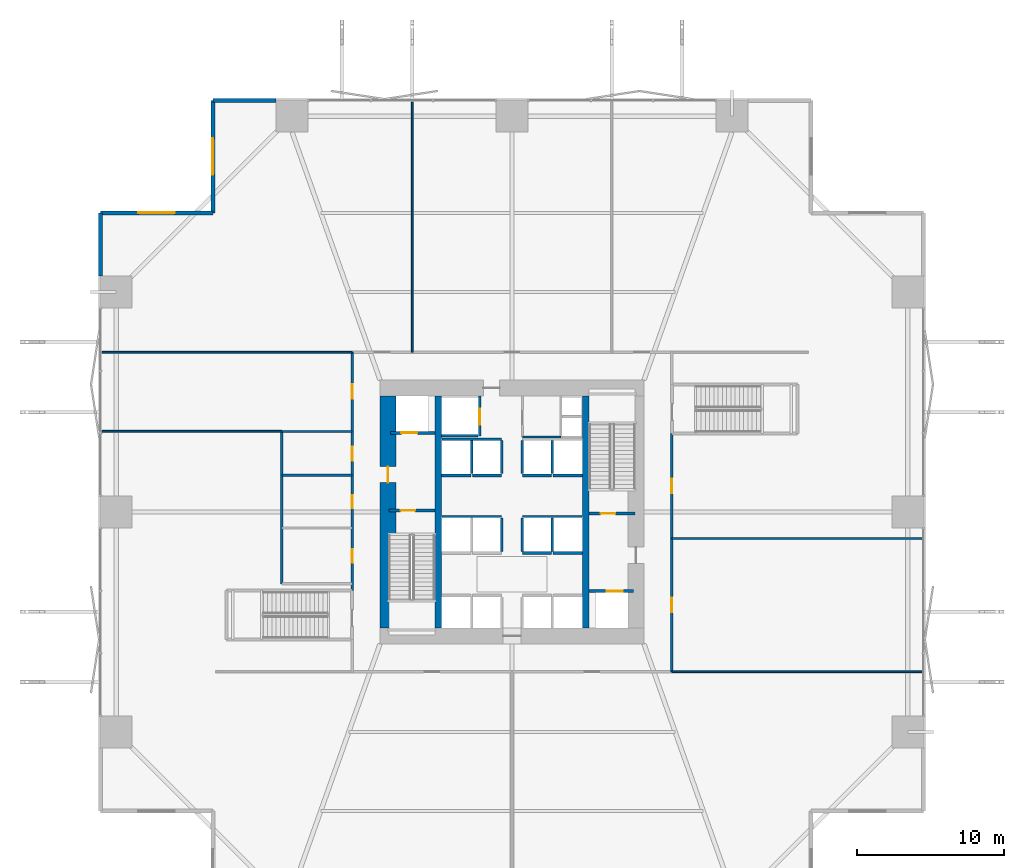
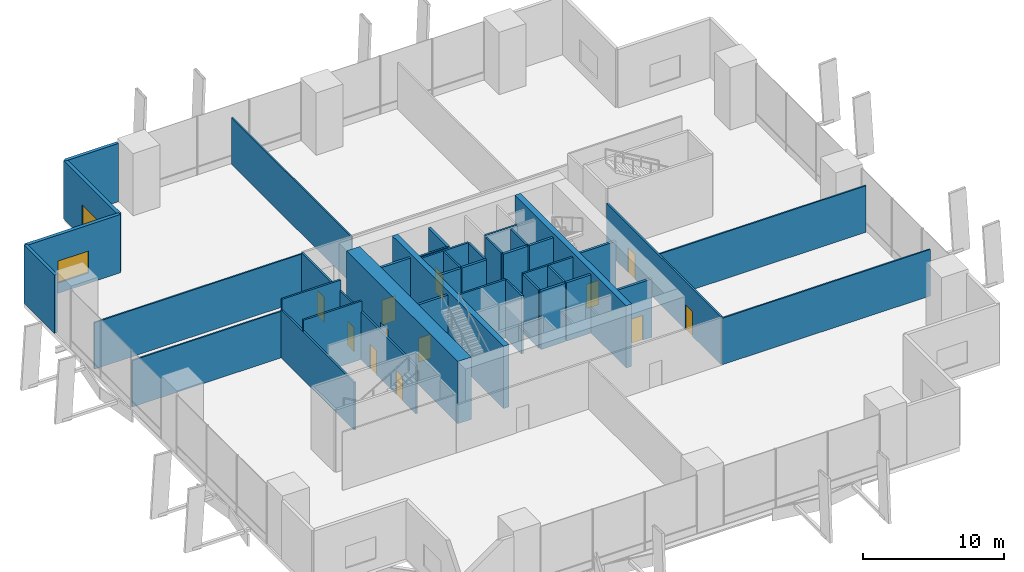
# One storey, part 20 of 24: 40 walls, 12 doors, 2 windows, 14 openings.
"""IFC4 building model written with IfcOpenShell, lengths in metres."""

from ifc_helpers import new_model, si_unit, direction, frame, frame_2d, origin, place, context, subcontext, project, spatial, rectangle, extrude, material, layer, layer_set, type_object, element, fill, save


model = new_model("IFC4")

# Units and contexts
model_context = context("Model", 3, precision=1e-05, world=origin(), true_north=direction((0.0, 1.0)))
body_context = subcontext(model_context, "Body", "Model", "MODEL_VIEW")
ifc_project = project(units=[si_unit("LENGTHUNIT", "METRE"), si_unit("AREAUNIT", "SQUARE_METRE"), si_unit("VOLUMEUNIT", "CUBIC_METRE"), si_unit("PLANEANGLEUNIT", "RADIAN"), si_unit("MASSUNIT", "GRAM", prefix="KILO")], contexts=[model_context])

# Site, building, storey
site_placement = place(None, origin())
site = spatial("IfcSite", under=ifc_project, at=site_placement, CompositionType="ELEMENT")
building_placement = place(site_placement, origin())
building = spatial("IfcBuilding", under=site, at=building_placement, Name="Belovzor Exchange Tower", CompositionType="ELEMENT")
storey_placement = place(building_placement, frame((0.0, 0.0, 8.39990234375)))
storey = spatial("IfcBuildingStorey", under=building, at=storey_placement, Name="L02", CompositionType="ELEMENT", Elevation=8.39990234375)

# Walls
ifc_material_1 = material(Name="Acoustic Plasterboard on Galvanised Studs", Category="gypsum")
ifc_layer_1 = layer(ifc_material_1, 0.1201171875)
ifc_layer_set_1 = layer_set([ifc_layer_1], Name="Acoustic Plasterboard on Galvanised Studs")
wall_type_1 = type_object("IfcWallType", Name="Acoustic Double-Stud Partition Wall 120", PredefinedType="PARTITIONING", material=ifc_layer_set_1)
for number, where, z_axis, x_axis, name in (
    (1, (22.0, 39.699951171875, 0.0), (0.0, 0.0, 1.0), (0.0, 1.0, 0.0), "W-P120 Partition Wall W-L02-ND1"),
    (2, (39.699951171875, 27.0, 0.0), (0.0, 0.0, 1.0), (1.0, 0.0, 0.0), "W-P120 Partition Wall W-L02-ED1"),
):
    element("IfcWall", number, at=place(storey_placement, frame(where, z_axis=z_axis, x_axis=x_axis)), inside=storey, type_object=wall_type_1, Name=name, PredefinedType="PARTITIONING", context=body_context, shape_type="SweptSolid", body=[
        extrude(rectangle(XDim=17.050048828125, YDim=0.1201171875, at=frame_2d((8.52490234375, 0.0))), origin(), (0.0, 0.0, 1.0), 4.03515625),
    ])
wall_1_placement = place(storey_placement, frame((0.85009765625, 34.300048828125, 0.0), z_axis=(0.0, 0.0, 1.0), x_axis=(1.0, 0.0, 0.0)))
element("IfcWall", 3, at=wall_1_placement, inside=storey, type_object=wall_type_1, Name="W-P120 Partition Wall W-L02-W1S", PredefinedType="PARTITIONING", context=body_context, shape_type="SweptSolid", body=[
    extrude(rectangle(XDim=12.25, YDim=0.1201171875, at=frame_2d((6.125, 0.0))), origin(), (0.0, 0.0, 1.0), 4.03515625),
])
wall_2_placement = place(storey_placement, frame((39.699951171875, 17.89990234375, 0.0), z_axis=(0.0, 0.0, 1.0), x_axis=(1.0, 0.0, 0.0)))
element("IfcWall", 4, at=wall_2_placement, inside=storey, type_object=wall_type_1, Name="W-P120 Partition Wall W-L02-OUT-SE", PredefinedType="PARTITIONING", context=body_context, shape_type="SweptSolid", body=[
    extrude(rectangle(XDim=17.050048828125, YDim=0.1201171875, at=frame_2d((8.52490234375, 0.0))), origin(), (0.0, 0.0, 1.0), 4.03515625),
])
wall_3_placement = place(storey_placement, frame((0.85009765625, 39.699951171875, 0.0), z_axis=(0.0, 0.0, 1.0), x_axis=(1.0, 0.0, 0.0)))
element("IfcWall", 5, at=wall_3_placement, inside=storey, type_object=wall_type_1, Name="W-P120 Partition Wall W-L02-OUT-NW", PredefinedType="PARTITIONING", context=body_context, shape_type="SweptSolid", body=[
    extrude(rectangle(XDim=17.0498046875, YDim=0.1201171875, at=frame_2d((8.52490234375, 0.0))), origin(), (0.0, 0.0, 1.0), 4.03515625),
])
ifc_material_2 = material(Name="Fire-Rated Gypsum Block and Mineral Wool", Category="gypsum")
ifc_layer_2 = layer(ifc_material_2, 0.14990234375)
ifc_layer_set_2 = layer_set([ifc_layer_2], Name="Fire-Rated Gypsum Block and Mineral Wool")
wall_type_2 = type_object("IfcWallType", Name="Fire-Rated Gypsum Block Corridor Wall 150", PredefinedType="PARTITIONING", material=ifc_layer_set_2)
wall_4_placement = place(storey_placement, frame((29.52490234375, 33.925048828125, 0.0), z_axis=(0.0, 0.0, 1.0), x_axis=(1.0, 0.0, 0.0)))
element("IfcWall", 6, at=wall_4_placement, inside=storey, type_object=wall_type_2, Name="W-P150 Partition Wall W-CRV-L02-S", PredefinedType="PARTITIONING", context=body_context, shape_type="SweptSolid", body=[
    extrude(rectangle(XDim=2.625, YDim=0.14990234375, at=frame_2d((1.3125, 0.0))), origin(), (0.0, 0.0, 1.0), 5.050048828125),
])
wall_5_placement = place(storey_placement, frame((13.10009765625, 23.89990234375, 0.0), z_axis=(0.0, 0.0, 1.0), x_axis=(0.0, 1.0, 0.0)))
element("IfcWall", 7, at=wall_5_placement, inside=storey, type_object=wall_type_2, Name="W-P150 Partition Wall W-L02-WC-W", PredefinedType="PARTITIONING", context=body_context, shape_type="SweptSolid", body=[
    extrude(rectangle(XDim=10.400146484375, YDim=0.14990234375, at=frame_2d((5.2001953125, 0.0))), origin(), (0.0, 0.0, 1.0), 4.135009765625),
])
for number, where, z_axis, x_axis, name in (
    (8, (13.10009765625, 34.300048828125, 0.0), (0.0, 0.0, 1.0), (1.0, 0.0, 0.0), "W-P150 Partition Wall W-L02-WC-N"),
    (9, (13.10009765625, 31.300048828125, 0.0), (0.0, 0.0, 1.0), (1.0, 0.0, 0.0), "W-P150 Partition Wall W-L02-WC-D2"),
):
    element("IfcWall", number, at=place(storey_placement, frame(where, z_axis=z_axis, x_axis=x_axis)), inside=storey, type_object=wall_type_2, Name=name, PredefinedType="PARTITIONING", context=body_context, shape_type="SweptSolid", body=[
        extrude(rectangle(XDim=4.7998046875, YDim=0.14990234375, at=frame_2d((2.39990234375, 0.0))), origin(), (0.0, 0.0, 1.0), 5.050048828125),
    ])

# Wall, openings, doors
wall_6_placement = place(storey_placement, frame((17.89990234375, 23.449951171875, 0.0), z_axis=(0.0, 0.0, 1.0), x_axis=(0.0, 1.0, 0.0)))
wall_6 = element("IfcWall", 10, at=wall_6_placement, inside=storey, type_object=wall_type_2, Name="W-P150 Partition Wall W-L02-CWN", PredefinedType="PARTITIONING", context=body_context, shape_type="SweptSolid", body=[
    extrude(rectangle(XDim=16.25, YDim=0.14990234375, at=frame_2d((8.125, 0.0))), origin(), (0.0, 0.0, 1.0), 4.135009765625),
])
opening_1_placement = place(wall_6_placement, frame((1.89990234375, 0.0, 0.0)))
opening_1 = element("IfcOpeningElement", 11, at=opening_1_placement, cuts=wall_6, Name="Opening D-FD60-090", PredefinedType="OPENING", context=body_context, shape_type="SweptSolid", body=[
    extrude(rectangle(XDim=0.89990234375, YDim=2.10009765625, at=frame_2d((0.449951171875, 1.050048828125))), frame((0.0, 0.0849609375, 0.0), z_axis=(0.0, -1.0, 0.0), x_axis=(1.0, 0.0, 0.0)), (0.0, 0.0, 1.0), 0.169921875),
])
opening_2_placement = place(wall_6_placement, frame((5.60009765625, 0.0, 0.0)))
opening_2 = element("IfcOpeningElement", 12, at=opening_2_placement, cuts=wall_6, Name="Opening D-FD60-090", PredefinedType="OPENING", context=body_context, shape_type="SweptSolid", body=[
    extrude(rectangle(XDim=0.89990234375, YDim=2.10009765625, at=frame_2d((0.449951171875, 1.050048828125))), frame((0.0, 0.0849609375, 0.0), z_axis=(0.0, -1.0, 0.0), x_axis=(1.0, 0.0, 0.0)), (0.0, 0.0, 1.0), 0.169921875),
])
opening_3_placement = place(wall_6_placement, frame((8.85009765625, 0.0, 0.0)))
opening_3 = element("IfcOpeningElement", 13, at=opening_3_placement, cuts=wall_6, Name="Opening D-FD60-095", PredefinedType="OPENING", context=body_context, shape_type="SweptSolid", body=[
    extrude(rectangle(XDim=0.949951171875, YDim=2.10009765625, at=frame_2d((0.47509765625, 1.050048828125))), frame((0.0, 0.0849609375, 0.0), z_axis=(0.0, -1.0, 0.0), x_axis=(1.0, 0.0, 0.0)), (0.0, 0.0, 1.0), 0.169921875),
])
opening_4_placement = place(wall_6_placement, frame((13.074951171875, 0.0, 0.0)))
opening_4 = element("IfcOpeningElement", 14, at=opening_4_placement, cuts=wall_6, Name="Opening D-FD60-105", PredefinedType="OPENING", context=body_context, shape_type="SweptSolid", body=[
    extrude(rectangle(XDim=1.0, YDim=2.14990234375, at=frame_2d((0.5, 1.074951171875))), frame((0.0, 0.0849609375, 0.0), z_axis=(0.0, -1.0, 0.0), x_axis=(1.0, 0.0, 0.0)), (0.0, 0.0, 1.0), 0.169921875),
])
ifc_material_3 = material(Name="Moisture-Resistant Timber Fire Leaf", Category="wood")
door_type_1 = type_object("IfcDoorType", Name="Accessible Restroom Wide Fire Door 950x2100", OperationType="NOTDEFINED", PredefinedType="DOOR", material=ifc_material_3)
door_1_placement = place(opening_3_placement, origin())
door_1 = element("IfcDoor", 15, at=door_1_placement, inside=storey, type_object=door_type_1, Name="D-FD60-095 Accessible Restroom Wide Fire Door 950x2100", OperationType="SINGLE_SWING_LEFT", OverallHeight=2.10009765625, OverallWidth=0.949951171875, PredefinedType="DOOR", context=body_context, shape_type="SweptSolid", body=[
    extrude(rectangle(XDim=0.949951171875, YDim=2.10009765625, at=frame_2d((0.47509765625, 1.050048828125))), frame((0.0, 0.02490234375, 0.0), z_axis=(0.0, -1.0, 0.0), x_axis=(1.0, 0.0, 0.0)), (0.0, 0.0, 1.0), 0.050048828125),
])
fill(opening_3, door_1)
ifc_material_4 = material(Name="Acoustic Timber Fire Leaf", Category="wood")
door_type_2 = type_object("IfcDoorType", Name="Core Service & Restroom Fire Door 900x2100", OperationType="NOTDEFINED", PredefinedType="DOOR", material=ifc_material_4)
door_2_placement = place(opening_1_placement, origin())
door_2 = element("IfcDoor", 16, at=door_2_placement, inside=storey, type_object=door_type_2, Name="D-FD60-090 Core Service & Restroom Fire Door 900x2100", OperationType="SINGLE_SWING_LEFT", OverallHeight=2.10009765625, OverallWidth=0.89990234375, PredefinedType="DOOR", context=body_context, shape_type="SweptSolid", body=[
    extrude(rectangle(XDim=0.89990234375, YDim=2.10009765625, at=frame_2d((0.449951171875, 1.050048828125))), frame((0.0, 0.02490234375, 0.0), z_axis=(0.0, -1.0, 0.0), x_axis=(1.0, 0.0, 0.0)), (0.0, 0.0, 1.0), 0.050048828125),
])
fill(opening_1, door_2)
door_3_placement = place(opening_2_placement, origin())
door_3 = element("IfcDoor", 17, at=door_3_placement, inside=storey, type_object=door_type_2, Name="D-FD60-090 Core Service & Restroom Fire Door 900x2100", OperationType="SINGLE_SWING_RIGHT", OverallHeight=2.10009765625, OverallWidth=0.89990234375, PredefinedType="DOOR", context=body_context, shape_type="SweptSolid", body=[
    extrude(rectangle(XDim=0.89990234375, YDim=2.10009765625, at=frame_2d((0.449951171875, 1.050048828125))), frame((0.0, 0.02490234375, 0.0), z_axis=(0.0, -1.0, 0.0), x_axis=(1.0, 0.0, 0.0)), (0.0, 0.0, 1.0), 0.050048828125),
])
fill(opening_2, door_3)
ifc_material_5 = material(Name="Acoustic Timber Fire Leaf", Category="wood")
door_type_3 = type_object("IfcDoorType", Name="Podium Gallery Acoustic Fire Door 1000x2150", OperationType="NOTDEFINED", PredefinedType="DOOR", material=ifc_material_5)
door_4_placement = place(opening_4_placement, origin())
door_4 = element("IfcDoor", 18, at=door_4_placement, inside=storey, type_object=door_type_3, Name="D-FD60-105 Podium Gallery Acoustic Fire Door 1000x2150", OperationType="SINGLE_SWING_RIGHT", OverallHeight=2.14990234375, OverallWidth=1.0, PredefinedType="DOOR", context=body_context, shape_type="SweptSolid", body=[
    extrude(rectangle(XDim=1.0, YDim=2.14990234375, at=frame_2d((0.5, 1.074951171875))), frame((0.0, 0.02490234375, 0.0), z_axis=(0.0, -1.0, 0.0), x_axis=(1.0, 0.0, 0.0)), (0.0, 0.0, 1.0), 0.050048828125),
])
fill(opening_4, door_4)

wall_7_placement = place(storey_placement, frame((39.699951171875, 17.89990234375, 0.0), z_axis=(0.0, 0.0, 1.0), x_axis=(0.0, 1.0, 0.0)))
wall_7 = element("IfcWall", 19, at=wall_7_placement, inside=storey, type_object=wall_type_2, Name="W-P150 Partition Wall W-L02-CES", PredefinedType="PARTITIONING", context=body_context, shape_type="SweptSolid", body=[
    extrude(rectangle(XDim=16.25, YDim=0.14990234375, at=frame_2d((8.125, 0.0))), origin(), (0.0, 0.0, 1.0), 4.135009765625),
])
opening_5_placement = place(wall_7_placement, frame((4.050048828125, 0.0, 0.0)))
opening_5 = element("IfcOpeningElement", 20, at=opening_5_placement, cuts=wall_7, Name="Opening D-FD60-105", PredefinedType="OPENING", context=body_context, shape_type="SweptSolid", body=[
    extrude(rectangle(XDim=1.0, YDim=2.14990234375, at=frame_2d((0.5, 1.074951171875))), frame((0.0, 0.0849609375, 0.0), z_axis=(0.0, -1.0, 0.0), x_axis=(1.0, 0.0, 0.0)), (0.0, 0.0, 1.0), 0.169921875),
])
opening_6_placement = place(wall_7_placement, frame((12.175048828125, 0.0, 0.0)))
opening_6 = element("IfcOpeningElement", 21, at=opening_6_placement, cuts=wall_7, Name="Opening D-FD60-105", PredefinedType="OPENING", context=body_context, shape_type="SweptSolid", body=[
    extrude(rectangle(XDim=1.0, YDim=2.14990234375, at=frame_2d((0.5, 1.074951171875))), frame((0.0, 0.0849609375, 0.0), z_axis=(0.0, -1.0, 0.0), x_axis=(1.0, 0.0, 0.0)), (0.0, 0.0, 1.0), 0.169921875),
])
door_5_placement = place(opening_5_placement, origin())
door_5 = element("IfcDoor", 22, at=door_5_placement, inside=storey, type_object=door_type_3, Name="D-FD60-105 Podium Gallery Acoustic Fire Door 1000x2150", OperationType="SINGLE_SWING_LEFT", OverallHeight=2.14990234375, OverallWidth=1.0, PredefinedType="DOOR", context=body_context, shape_type="SweptSolid", body=[
    extrude(rectangle(XDim=1.0, YDim=2.14990234375, at=frame_2d((0.5, 1.074951171875))), frame((0.0, 0.02490234375, 0.0), z_axis=(0.0, -1.0, 0.0), x_axis=(1.0, 0.0, 0.0)), (0.0, 0.0, 1.0), 0.050048828125),
])
fill(opening_5, door_5)
door_6_placement = place(opening_6_placement, origin())
door_6 = element("IfcDoor", 23, at=door_6_placement, inside=storey, type_object=door_type_3, Name="D-FD60-105 Podium Gallery Acoustic Fire Door 1000x2150", OperationType="SINGLE_SWING_LEFT", OverallHeight=2.14990234375, OverallWidth=1.0, PredefinedType="DOOR", context=body_context, shape_type="SweptSolid", body=[
    extrude(rectangle(XDim=1.0, YDim=2.14990234375, at=frame_2d((0.5, 1.074951171875))), frame((0.0, 0.02490234375, 0.0), z_axis=(0.0, -1.0, 0.0), x_axis=(1.0, 0.0, 0.0)), (0.0, 0.0, 1.0), 0.050048828125),
])
fill(opening_6, door_6)

# Wall, opening, window
ifc_material_6 = material(Name="Precast concrete C40/50", Category="concrete")
ifc_layer_3 = layer(ifc_material_6, 0.280029296875)
ifc_layer_set_3 = layer_set([ifc_layer_3], Name="Precast concrete C40/50")
wall_type_3 = type_object("IfcWallType", Name="Precast Concrete Notched Corner Frame Wall 280", PredefinedType="SOLIDWALL", material=ifc_layer_set_3)
wall_8_placement = place(storey_placement, frame((0.72998046875, 49.199951171875, 0.0), z_axis=(0.0, 0.0, 1.0), x_axis=(1.0, 0.0, 0.0)))
wall_8 = element("IfcWall", 24, at=wall_8_placement, inside=storey, type_object=wall_type_3, Name="W-CRN280 Precast Concrete Notched Corner Frame Wall 280 L02", PredefinedType="SOLIDWALL", context=body_context, shape_type="SweptSolid", body=[
    extrude(rectangle(XDim=7.669921875, YDim=0.280029296875, at=frame_2d((3.8349609375, 0.0))), origin(), (0.0, 0.0, 1.0), 5.050048828125),
])
opening_7_placement = place(wall_8_placement, frame((2.5849609375, 0.0, 0.89990234375)))
opening_7 = element("IfcOpeningElement", 25, at=opening_7_placement, cuts=wall_8, Name="Opening WN-CRN250", PredefinedType="OPENING", context=body_context, shape_type="SweptSolid", body=[
    extrude(rectangle(XDim=2.5, YDim=1.89990234375, at=frame_2d((1.25, 0.949951171875))), frame((0.0, 0.14990234375, 0.0), z_axis=(0.0, -1.0, 0.0), x_axis=(1.0, 0.0, 0.0)), (0.0, 0.0, 1.0), 0.300048828125),
])
ifc_material_7 = material(Name="Thermally Broken Aluminium and Triple Glazing", Category="aluminium")
window_type = type_object("IfcWindowType", Name="Streamline Moderne Corner Wrap Ribbon Window 2500x1900", PartitioningType="SINGLE_PANEL", PredefinedType="WINDOW", material=ifc_material_7)
window_1_placement = place(opening_7_placement, origin())
window_1 = element("IfcWindow", 26, at=window_1_placement, inside=storey, type_object=window_type, Name="WN-CRN250 Streamline Moderne Corner Wrap Ribbon Window 2500x1900", OverallHeight=1.89990234375, OverallWidth=2.5, PartitioningType="SINGLE_PANEL", PredefinedType="WINDOW", context=body_context, shape_type="SweptSolid", body=[
    extrude(rectangle(XDim=2.5, YDim=1.89990234375, at=frame_2d((1.25, 0.949951171875))), frame((0.0, 0.030029296875, 0.0), z_axis=(0.0, -1.0, 0.0), x_axis=(1.0, 0.0, 0.0)), (0.0, 0.0, 1.0), 0.06005859375),
])
fill(opening_7, window_1)

wall_9_placement = place(storey_placement, frame((8.39990234375, 49.199951171875, 0.0), z_axis=(0.0, 0.0, 1.0), x_axis=(0.0, 1.0, 0.0)))
wall_9 = element("IfcWall", 27, at=wall_9_placement, inside=storey, type_object=wall_type_3, Name="W-CRN280 Precast Concrete Notched Corner Frame Wall 280 L02", PredefinedType="SOLIDWALL", context=body_context, shape_type="SweptSolid", body=[
    extrude(rectangle(XDim=7.670166015625, YDim=0.280029296875, at=frame_2d((3.8349609375, 0.0))), origin(), (0.0, 0.0, 1.0), 5.050048828125),
])
opening_8_placement = place(wall_9_placement, frame((2.5849609375, 0.0, 0.89990234375)))
opening_8 = element("IfcOpeningElement", 28, at=opening_8_placement, cuts=wall_9, Name="Opening WN-CRN250", PredefinedType="OPENING", context=body_context, shape_type="SweptSolid", body=[
    extrude(rectangle(XDim=2.5, YDim=1.89990234375, at=frame_2d((1.25, 0.949951171875))), frame((0.0, 0.14990234375, 0.0), z_axis=(0.0, -1.0, 0.0), x_axis=(1.0, 0.0, 0.0)), (0.0, 0.0, 1.0), 0.300048828125),
])
window_2_placement = place(opening_8_placement, origin())
window_2 = element("IfcWindow", 29, at=window_2_placement, inside=storey, type_object=window_type, Name="WN-CRN250 Streamline Moderne Corner Wrap Ribbon Window 2500x1900", OverallHeight=1.89990234375, OverallWidth=2.5, PartitioningType="SINGLE_PANEL", PredefinedType="WINDOW", context=body_context, shape_type="SweptSolid", body=[
    extrude(rectangle(XDim=2.5, YDim=1.89990234375, at=frame_2d((1.25, 0.949951171875))), frame((0.0, 0.030029296875, 0.0), z_axis=(0.0, -1.0, 0.0), x_axis=(1.0, 0.0, 0.0)), (0.0, 0.0, 1.0), 0.06005859375),
])
fill(opening_8, window_2)

# Walls
ifc_material_8 = material(Name="Precast concrete C40/50", Category="concrete")
ifc_layer_4 = layer(ifc_material_8, 0.260009765625)
ifc_layer_set_4 = layer_set([ifc_layer_4], Name="Precast concrete C40/50")
wall_type_4 = type_object("IfcWallType", Name="Precast Concrete Perimeter Loggia Frame Wall 260", PredefinedType="SOLIDWALL", material=ifc_layer_set_4)
for number, where, z_axis, x_axis, name in (
    (30, (8.39990234375, 56.8701171875, 0.0), (0.0, 0.0, 1.0), (1.0, 0.0, 0.0), "W-EXT260 Precast Concrete Perimeter Loggia Frame Wall 260 L02"),
    (31, (0.72998046875, 44.89990234375, 0.0), (0.0, 0.0, 1.0), (0.0, 1.0, 0.0), "W-EXT260 Precast Concrete Perimeter Loggia Frame Wall 260 L02"),
):
    element("IfcWall", number, at=place(storey_placement, frame(where, z_axis=z_axis, x_axis=x_axis)), inside=storey, type_object=wall_type_4, Name=name, PredefinedType="SOLIDWALL", context=body_context, shape_type="SweptSolid", body=[
        extrude(rectangle(XDim=4.300048828125, YDim=0.260009765625, at=frame_2d((2.14990234375, 0.0))), origin(), (0.0, 0.0, 1.0), 5.050048828125),
    ])
ifc_material_9 = material(Name="Concrete C50/60", Category="concrete")
ifc_layer_5 = layer(ifc_material_9, 0.449951171875)
ifc_layer_set_5 = layer_set([ifc_layer_5], Name="Concrete C50/60")
wall_type_5 = type_object("IfcWallType", Name="Reinforced Concrete Core Internal Web Wall 450", PredefinedType="SHEAR", material=ifc_layer_set_5)
for number, where, z_axis, x_axis, name in (
    (32, (23.77490234375, 20.89990234375, 0.0), (0.0, 0.0, 1.0), (0.0, 1.0, 0.0), "CW-W045 Core Internal Web Wall L02 WL"),
    (33, (33.824951171875, 20.89990234375, 0.0), (0.0, 0.0, 1.0), (0.0, 1.0, 0.0), "CW-W045 Core Internal Web Wall L02 ER"),
):
    element("IfcWall", number, at=place(storey_placement, frame(where, z_axis=z_axis, x_axis=x_axis)), inside=storey, type_object=wall_type_5, Name=name, PredefinedType="SHEAR", context=body_context, shape_type="SweptSolid", body=[
        extrude(rectangle(XDim=15.800048828125, YDim=0.449951171875, at=frame_2d((7.89990234375, 0.0))), origin(), (0.0, 0.0, 1.0), 5.400146484375),
    ])
ifc_material_10 = material(Name="Concrete C50/60", Category="concrete")
ifc_layer_6 = layer(ifc_material_10, 0.14990234375)
ifc_layer_set_6 = layer_set([ifc_layer_6], Name="Concrete C50/60")
wall_type_6 = type_object("IfcWallType", Name="Reinforced Concrete Core Riser Shear Wall 150", PredefinedType="SHEAR", material=ifc_layer_set_6)
wall_10_placement = place(storey_placement, frame((24.0, 34.0, 0.0), z_axis=(0.0, 0.0, 1.0), x_axis=(1.0, 0.0, 0.0)))
element("IfcWall", 34, at=wall_10_placement, inside=storey, type_object=wall_type_6, Name="W-C150S Core Shaft Wall W-SH-L02-SL-01S", PredefinedType="SHEAR", context=body_context, shape_type="SweptSolid", body=[
    extrude(rectangle(XDim=2.47998046875, YDim=0.14990234375, at=frame_2d((1.239990234375, 0.0))), origin(), (0.0, 0.0, 1.0), 5.050048828125),
])
for number, where, z_axis, x_axis, name in (
    (35, (24.02001953125, 28.5, 0.0), (0.0, 0.0, 1.0), (1.0, 0.0, 0.0), "W-C150S Core Shaft Wall W-SHB-L02-PLM-NW"),
    (36, (29.5, 28.5, 0.0), (0.0, 0.0, 1.0), (1.0, 0.0, 0.0), "W-C150S Core Shaft Wall W-SHB-L02-PLM-NE"),
):
    element("IfcWall", number, at=place(storey_placement, frame(where, z_axis=z_axis, x_axis=x_axis)), inside=storey, type_object=wall_type_6, Name=name, PredefinedType="SHEAR", context=body_context, shape_type="SweptSolid", body=[
        extrude(rectangle(XDim=4.080078125, YDim=0.14990234375, at=frame_2d((2.0400390625, 0.0))), origin(), (0.0, 0.0, 1.0), 5.050048828125),
    ])
for number, where, z_axis, x_axis, name in (
    (37, (28.10009765625, 26.1201171875, 0.0), (0.0, 0.0, 1.0), (0.0, 1.0, 0.0), "W-C150S Core Shaft Wall W-SHD-L02-PLM-2"),
    (38, (29.5, 26.1201171875, 0.0), (0.0, 0.0, 1.0), (0.0, 1.0, 0.0), "W-C150S Core Shaft Wall W-SHD-L02-PLM-3"),
    (39, (31.550048828125, 26.1201171875, 0.0), (0.0, 0.0, 1.0), (0.0, 1.0, 0.0), "W-C150S Core Shaft Wall W-SHD-L02-PLM-4"),
):
    element("IfcWall", number, at=place(storey_placement, frame(where, z_axis=z_axis, x_axis=x_axis)), inside=storey, type_object=wall_type_6, Name=name, PredefinedType="SHEAR", context=body_context, shape_type="SweptSolid", body=[
        extrude(rectangle(XDim=2.27978515625, YDim=0.14990234375, at=frame_2d((1.139892578125, 0.0))), origin(), (0.0, 0.0, 1.0), 5.050048828125),
    ])
wall_11_placement = place(storey_placement, frame((24.02001953125, 33.760009765625, 0.0), z_axis=(0.0, 0.0, 1.0), x_axis=(1.0, 0.0, 0.0)))
element("IfcWall", 40, at=wall_11_placement, inside=storey, type_object=wall_type_6, Name="W-C150S Core Shaft Wall W-SHB-L02-PLH-NW", PredefinedType="SHEAR", context=body_context, shape_type="SweptSolid", body=[
    extrude(rectangle(XDim=4.080078125, YDim=0.14990234375, at=frame_2d((2.0400390625, 0.0))), origin(), (0.0, 0.0, 1.0), 5.050048828125),
])
for number, where, z_axis, x_axis, name in (
    (41, (26.050048828125, 31.419921875, 0.0), (0.0, 0.0, 1.0), (0.0, 1.0, 0.0), "W-C150S Core Shaft Wall W-SHD-L02-PLH-1"),
    (42, (28.10009765625, 31.419921875, 0.0), (0.0, 0.0, 1.0), (0.0, 1.0, 0.0), "W-C150S Core Shaft Wall W-SHD-L02-PLH-2"),
    (43, (29.5, 31.419921875, 0.0), (0.0, 0.0, 1.0), (0.0, 1.0, 0.0), "W-C150S Core Shaft Wall W-SHD-L02-PLH-3"),
    (44, (31.550048828125, 31.419921875, 0.0), (0.0, 0.0, 1.0), (0.0, 1.0, 0.0), "W-C150S Core Shaft Wall W-SHD-L02-PLH-4"),
):
    element("IfcWall", number, at=place(storey_placement, frame(where, z_axis=z_axis, x_axis=x_axis)), inside=storey, type_object=wall_type_6, Name=name, PredefinedType="SHEAR", context=body_context, shape_type="SweptSolid", body=[
        extrude(rectangle(XDim=2.239990234375, YDim=0.14990234375, at=frame_2d((1.1201171875, 0.0))), origin(), (0.0, 0.0, 1.0), 5.050048828125),
    ])

# Wall, opening, door
ifc_material_11 = material(Name="Concrete C50/60", Category="concrete")
ifc_layer_7 = layer(ifc_material_11, 0.199951171875)
ifc_layer_set_7 = layer_set([ifc_layer_7], Name="Concrete C50/60")
wall_type_7 = type_object("IfcWallType", Name="Reinforced Concrete Core Shaft Shear Wall 200", PredefinedType="SHEAR", material=ifc_layer_set_7)
wall_12_placement = place(storey_placement, frame((20.39990234375, 28.89990234375, 0.0), z_axis=(0.0, 0.0, 1.0), x_axis=(1.0, 0.0, 0.0)))
wall_12 = element("IfcWall", 45, at=wall_12_placement, inside=storey, type_object=wall_type_7, Name="W-C200S Core Shaft Wall W-CORE-L02-FFLW1", PredefinedType="SHEAR", context=body_context, shape_type="SweptSolid", body=[
    extrude(rectangle(XDim=3.150146484375, YDim=0.199951171875, at=frame_2d((1.5751953125, 0.0))), origin(), (0.0, 0.0, 1.0), 5.050048828125),
])
opening_9_placement = place(wall_12_placement, frame((0.800048828125, 0.0, 0.0)))
opening_9 = element("IfcOpeningElement", 46, at=opening_9_placement, cuts=wall_12, Name="Opening D-FD90-100", PredefinedType="OPENING", context=body_context, shape_type="SweptSolid", body=[
    extrude(rectangle(XDim=1.0, YDim=2.10009765625, at=frame_2d((0.5, 1.050048828125))), frame((0.0, 0.10986328125, 0.0), z_axis=(0.0, -1.0, 0.0), x_axis=(1.0, 0.0, 0.0)), (0.0, 0.0, 1.0), 0.219970703125),
])
ifc_material_12 = material(Name="Fire-Rated Galvanised Steel Leaf", Category="steel")
door_type_4 = type_object("IfcDoorType", Name="Protected Stairwell Single Fire Door 1000x2100", OperationType="NOTDEFINED", PredefinedType="DOOR", material=ifc_material_12)
door_7_placement = place(opening_9_placement, origin())
door_7 = element("IfcDoor", 47, at=door_7_placement, inside=storey, type_object=door_type_4, Name="D-FD90-100 Protected Stairwell Single Fire Door 1000x2100", OperationType="SINGLE_SWING_RIGHT", OverallHeight=2.10009765625, OverallWidth=1.0, PredefinedType="DOOR", context=body_context, shape_type="SweptSolid", body=[
    extrude(rectangle(XDim=1.0, YDim=2.10009765625, at=frame_2d((0.5, 1.050048828125))), frame((0.0, 0.02490234375, 0.0), z_axis=(0.0, -1.0, 0.0), x_axis=(1.0, 0.0, 0.0)), (0.0, 0.0, 1.0), 0.050048828125),
])
fill(opening_9, door_7)

wall_13_placement = place(storey_placement, frame((34.050048828125, 28.699951171875, 0.0), z_axis=(0.0, 0.0, 1.0), x_axis=(1.0, 0.0, 0.0)))
wall_13 = element("IfcWall", 48, at=wall_13_placement, inside=storey, type_object=wall_type_7, Name="W-C200S Core Shaft Wall W-CORE-L02-FFLE2", PredefinedType="SHEAR", context=body_context, shape_type="SweptSolid", body=[
    extrude(rectangle(XDim=3.14990234375, YDim=0.199951171875, at=frame_2d((1.574951171875, 0.0))), origin(), (0.0, 0.0, 1.0), 5.050048828125),
])
opening_10_placement = place(wall_13_placement, frame((0.800048828125, 0.0, 0.0)))
opening_10 = element("IfcOpeningElement", 49, at=opening_10_placement, cuts=wall_13, Name="Opening D-FD90-100", PredefinedType="OPENING", context=body_context, shape_type="SweptSolid", body=[
    extrude(rectangle(XDim=1.0, YDim=2.10009765625, at=frame_2d((0.5, 1.050048828125))), frame((0.0, 0.10986328125, 0.0), z_axis=(0.0, -1.0, 0.0), x_axis=(1.0, 0.0, 0.0)), (0.0, 0.0, 1.0), 0.219970703125),
])
door_8_placement = place(opening_10_placement, origin())
door_8 = element("IfcDoor", 50, at=door_8_placement, inside=storey, type_object=door_type_4, Name="D-FD90-100 Protected Stairwell Single Fire Door 1000x2100", OperationType="SINGLE_SWING_LEFT", OverallHeight=2.10009765625, OverallWidth=1.0, PredefinedType="DOOR", context=body_context, shape_type="SweptSolid", body=[
    extrude(rectangle(XDim=1.0, YDim=2.10009765625, at=frame_2d((0.5, 1.050048828125))), frame((0.0, 0.02490234375, 0.0), z_axis=(0.0, -1.0, 0.0), x_axis=(1.0, 0.0, 0.0)), (0.0, 0.0, 1.0), 0.050048828125),
])
fill(opening_10, door_8)

wall_14_placement = place(storey_placement, frame((20.5, 34.199951171875, 0.0), z_axis=(0.0, 0.0, 1.0), x_axis=(1.0, 0.0, 0.0)))
wall_14 = element("IfcWall", 51, at=wall_14_placement, inside=storey, type_object=wall_type_7, Name="W-C200S Core Shaft Wall W-SH-L02-FFL-01", PredefinedType="SHEAR", context=body_context, shape_type="SweptSolid", body=[
    extrude(rectangle(XDim=3.050048828125, YDim=0.199951171875, at=frame_2d((1.52490234375, 0.0))), origin(), (0.0, 0.0, 1.0), 5.050048828125),
])
opening_11_placement = place(wall_14_placement, frame((0.75, 0.0, 0.0)))
opening_11 = element("IfcOpeningElement", 52, at=opening_11_placement, cuts=wall_14, Name="Opening LD-110", PredefinedType="OPENING", context=body_context, shape_type="SweptSolid", body=[
    extrude(rectangle(XDim=1.10009765625, YDim=2.14990234375, at=frame_2d((0.550048828125, 1.074951171875))), frame((0.0, 0.10986328125, 0.0), z_axis=(0.0, -1.0, 0.0), x_axis=(1.0, 0.0, 0.0)), (0.0, 0.0, 1.0), 0.219970703125),
])
ifc_material_13 = material(Name="Stainless Steel Grade 304", Category="steel")
door_type_5 = type_object("IfcDoorType", Name="Automated Stainless Steel Lift Landing Door 1100x2150", OperationType="SLIDING_TO_RIGHT", PredefinedType="DOOR", material=ifc_material_13)
door_9_placement = place(opening_11_placement, origin())
door_9 = element("IfcDoor", 53, at=door_9_placement, inside=storey, type_object=door_type_5, Name="LD-110 Automated Stainless Steel Lift Landing Door 1100x2150", OperationType="SLIDING_TO_RIGHT", OverallHeight=2.14990234375, OverallWidth=1.10009765625, PredefinedType="DOOR", context=body_context, shape_type="SweptSolid", body=[
    extrude(rectangle(XDim=1.10009765625, YDim=2.14990234375, at=frame_2d((0.550048828125, 1.074951171875))), frame((0.0, 0.02490234375, 0.0), z_axis=(0.0, -1.0, 0.0), x_axis=(1.0, 0.0, 0.0)), (0.0, 0.0, 1.0), 0.050048828125),
])
fill(opening_11, door_9)

wall_15_placement = place(storey_placement, frame((34.050048828125, 23.39990234375, 0.0), z_axis=(0.0, 0.0, 1.0), x_axis=(1.0, 0.0, 0.0)))
wall_15 = element("IfcWall", 54, at=wall_15_placement, inside=storey, type_object=wall_type_7, Name="W-C200S Core Shaft Wall W-SH-L02-FFL-02", PredefinedType="SHEAR", context=body_context, shape_type="SweptSolid", body=[
    extrude(rectangle(XDim=3.050048828125, YDim=0.199951171875, at=frame_2d((1.52490234375, 0.0))), origin(), (0.0, 0.0, 1.0), 5.050048828125),
])
opening_12_placement = place(wall_15_placement, frame((1.199951171875, 0.0, 0.0)))
opening_12 = element("IfcOpeningElement", 55, at=opening_12_placement, cuts=wall_15, Name="Opening LD-110", PredefinedType="OPENING", context=body_context, shape_type="SweptSolid", body=[
    extrude(rectangle(XDim=1.10009765625, YDim=2.14990234375, at=frame_2d((0.550048828125, 1.074951171875))), frame((0.0, 0.10986328125, 0.0), z_axis=(0.0, -1.0, 0.0), x_axis=(1.0, 0.0, 0.0)), (0.0, 0.0, 1.0), 0.219970703125),
])
door_10_placement = place(opening_12_placement, origin())
door_10 = element("IfcDoor", 56, at=door_10_placement, inside=storey, type_object=door_type_5, Name="LD-110 Automated Stainless Steel Lift Landing Door 1100x2150", OperationType="SLIDING_TO_RIGHT", OverallHeight=2.14990234375, OverallWidth=1.10009765625, PredefinedType="DOOR", context=body_context, shape_type="SweptSolid", body=[
    extrude(rectangle(XDim=1.10009765625, YDim=2.14990234375, at=frame_2d((0.550048828125, 1.074951171875))), frame((0.0, 0.02490234375, 0.0), z_axis=(0.0, -1.0, 0.0), x_axis=(1.0, 0.0, 0.0)), (0.0, 0.0, 1.0), 0.050048828125),
])
fill(opening_12, door_10)

wall_16_placement = place(storey_placement, frame((26.60009765625, 34.0, 0.0), z_axis=(0.0, 0.0, 1.0), x_axis=(0.0, 1.0, 0.0)))
wall_16 = element("IfcWall", 57, at=wall_16_placement, inside=storey, type_object=wall_type_7, Name="W-C200S Core Shaft Wall W-SH-L02-SL-01", PredefinedType="SHEAR", context=body_context, shape_type="SweptSolid", body=[
    extrude(rectangle(XDim=2.699951171875, YDim=0.199951171875, at=frame_2d((1.35009765625, 0.0))), origin(), (0.0, 0.0, 1.0), 5.050048828125),
])
opening_13_placement = place(wall_16_placement, frame((0.75, 0.0, 0.0)))
opening_13 = element("IfcOpeningElement", 58, at=opening_13_placement, cuts=wall_16, Name="Opening LD-110", PredefinedType="OPENING", context=body_context, shape_type="SweptSolid", body=[
    extrude(rectangle(XDim=1.10009765625, YDim=2.14990234375, at=frame_2d((0.550048828125, 1.074951171875))), frame((0.0, 0.10986328125, 0.0), z_axis=(0.0, -1.0, 0.0), x_axis=(1.0, 0.0, 0.0)), (0.0, 0.0, 1.0), 0.219970703125),
])
door_11_placement = place(opening_13_placement, origin())
door_11 = element("IfcDoor", 59, at=door_11_placement, inside=storey, type_object=door_type_5, Name="LD-110 Automated Stainless Steel Lift Landing Door 1100x2150", OperationType="SLIDING_TO_RIGHT", OverallHeight=2.14990234375, OverallWidth=1.10009765625, PredefinedType="DOOR", context=body_context, shape_type="SweptSolid", body=[
    extrude(rectangle(XDim=1.10009765625, YDim=2.14990234375, at=frame_2d((0.550048828125, 1.074951171875))), frame((0.0, 0.02490234375, 0.0), z_axis=(0.0, -1.0, 0.0), x_axis=(1.0, 0.0, 0.0)), (0.0, 0.0, 1.0), 0.050048828125),
])
fill(opening_13, door_11)

# Walls
for number, where, z_axis, x_axis, name in (
    (60, (29.5, 26.0, 0.0), (0.0, 0.0, 1.0), (1.0, 0.0, 0.0), "W-C200S Core Shaft Wall W-SH-L02-PL-M3"),
    (61, (31.60009765625, 26.0, 0.0), (0.0, 0.0, 1.0), (1.0, 0.0, 0.0), "W-C200S Core Shaft Wall W-SH-L02-PL-M4"),
    (62, (24.0, 31.300048828125, 0.0), (0.0, 0.0, 1.0), (1.0, 0.0, 0.0), "W-C200S Core Shaft Wall W-SH-L02-PL-H1"),
    (63, (26.10009765625, 31.300048828125, 0.0), (0.0, 0.0, 1.0), (1.0, 0.0, 0.0), "W-C200S Core Shaft Wall W-SH-L02-PL-H2"),
    (64, (29.5, 31.300048828125, 0.0), (0.0, 0.0, 1.0), (1.0, 0.0, 0.0), "W-C200S Core Shaft Wall W-SH-L02-PL-H3"),
    (65, (31.60009765625, 31.300048828125, 0.0), (0.0, 0.0, 1.0), (1.0, 0.0, 0.0), "W-C200S Core Shaft Wall W-SH-L02-PL-H4"),
):
    element("IfcWall", number, at=place(storey_placement, frame(where, z_axis=z_axis, x_axis=x_axis)), inside=storey, type_object=wall_type_7, Name=name, PredefinedType="SHEAR", context=body_context, shape_type="SweptSolid", body=[
        extrude(rectangle(XDim=2.0, YDim=0.199951171875, at=frame_2d((1.0, 0.0))), origin(), (0.0, 0.0, 1.0), 5.050048828125),
    ])

# Wall, opening, door
ifc_material_14 = material(Name="Concrete C60/75", Category="concrete")
ifc_layer_8 = layer(ifc_material_14, 1.10009765625)
ifc_layer_set_8 = layer_set([ifc_layer_8], Name="Concrete C60/75")
wall_type_8 = type_object("IfcWallType", Name="Reinforced Concrete Core Shear Wall 1100", PredefinedType="SHEAR", material=ifc_layer_set_8)
wall_17_placement = place(storey_placement, frame((20.35009765625, 20.89990234375, 0.0), z_axis=(0.0, 0.0, 1.0), x_axis=(0.0, 1.0, 0.0)))
wall_17 = element("IfcWall", 66, at=wall_17_placement, inside=storey, type_object=wall_type_8, Name="CW-S110 Core Shear Wall L02 W", PredefinedType="SHEAR", context=body_context, shape_type="SweptSolid", body=[
    extrude(rectangle(XDim=15.800048828125, YDim=1.10009765625, at=frame_2d((7.89990234375, 0.0))), origin(), (0.0, 0.0, 1.0), 5.400146484375),
])
opening_14_placement = place(wall_17_placement, frame((9.89990234375, 0.0, 0.0)))
opening_14 = element("IfcOpeningElement", 67, at=opening_14_placement, cuts=wall_17, Name="Opening D-FD90-110", PredefinedType="OPENING", context=body_context, shape_type="SweptSolid", body=[
    extrude(rectangle(XDim=1.10009765625, YDim=2.14990234375, at=frame_2d((0.550048828125, 1.074951171875))), frame((0.0, 0.56005859375, 0.0), z_axis=(0.0, -1.0, 0.0), x_axis=(1.0, 0.0, 0.0)), (0.0, 0.0, 1.0), 1.1201171875),
])
ifc_material_15 = material(Name="Fire-Rated Galvanised Steel Leaf", Category="steel")
door_type_6 = type_object("IfcDoorType", Name="Protected Escape Vestibule Fire Door 1100x2150", OperationType="NOTDEFINED", PredefinedType="DOOR", material=ifc_material_15)
door_12_placement = place(opening_14_placement, origin())
door_12 = element("IfcDoor", 68, at=door_12_placement, inside=storey, type_object=door_type_6, Name="D-FD90-110 Protected Escape Vestibule Fire Door 1100x2150", OperationType="SINGLE_SWING_LEFT", OverallHeight=2.14990234375, OverallWidth=1.10009765625, PredefinedType="DOOR", context=body_context, shape_type="SweptSolid", body=[
    extrude(rectangle(XDim=1.10009765625, YDim=2.14990234375, at=frame_2d((0.550048828125, 1.074951171875))), frame((0.0, 0.02490234375, 0.0), z_axis=(0.0, -1.0, 0.0), x_axis=(1.0, 0.0, 0.0)), (0.0, 0.0, 1.0), 0.050048828125),
])
fill(opening_14, door_12)

save(model, "model.ifc")
